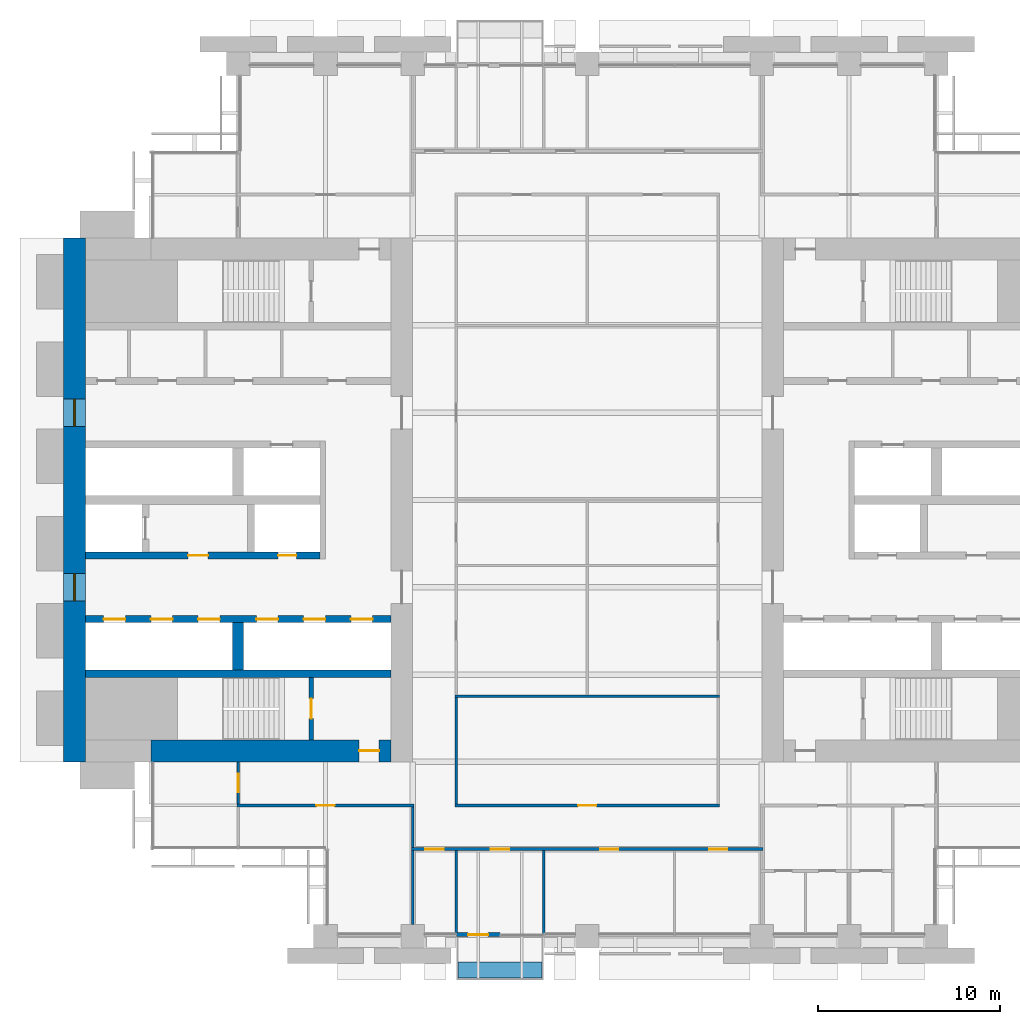
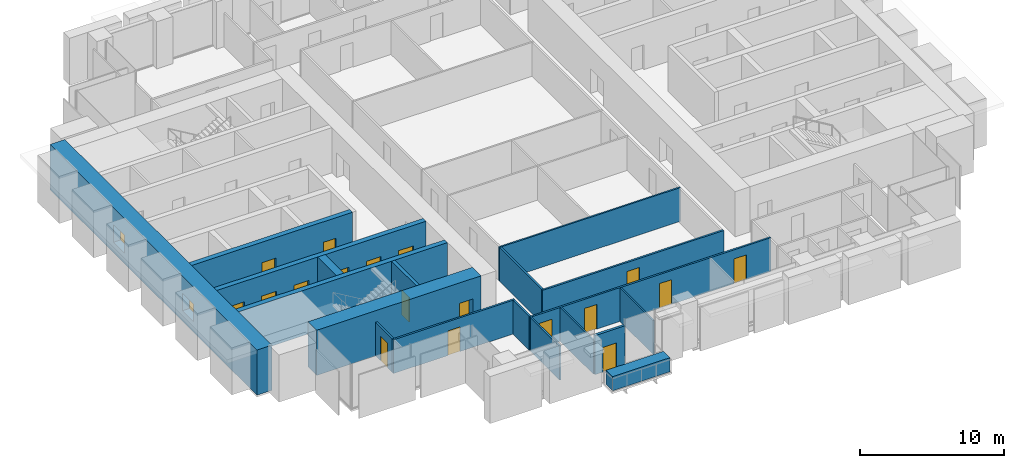
# One storey, part 9 of 15: 19 walls, 18 doors, 2 windows, 20 openings.
"""IFC4 building model written with IfcOpenShell, lengths in metres."""

from ifc_helpers import new_model, si_unit, direction, frame, frame_2d, origin, place, context, subcontext, project, spatial, rectangle, extrude, material, layer, layer_set, type_object, element, fill, save


model = new_model("IFC4")

# Units and contexts
model_context = context("Model", 3, precision=1e-05, world=origin(), true_north=direction((0.0, 1.0)))
body_context = subcontext(model_context, "Body", "Model", "MODEL_VIEW")
ifc_project = project(units=[si_unit("LENGTHUNIT", "METRE"), si_unit("AREAUNIT", "SQUARE_METRE"), si_unit("VOLUMEUNIT", "CUBIC_METRE"), si_unit("PLANEANGLEUNIT", "RADIAN"), si_unit("MASSUNIT", "GRAM", prefix="KILO")], contexts=[model_context])

# Site, building, storey
site_placement = place(None, origin())
site = spatial("IfcSite", under=ifc_project, at=site_placement, CompositionType="ELEMENT")
building_placement = place(site_placement, origin())
building = spatial("IfcBuilding", under=site, at=building_placement, Name="Baori Bourse Tower", CompositionType="ELEMENT")
storey_placement = place(building_placement, frame((0.0, 0.0, 47.0)))
storey = spatial("IfcBuildingStorey", under=building, at=storey_placement, Name="L09", CompositionType="ELEMENT", Elevation=47.0)

# Wall, openings, windows
ifc_material_1 = material(Name="Concrete f'c 70 MPa", Category="concrete")
ifc_layer_1 = layer(ifc_material_1, 1.199951171875)
ifc_layer_set_1 = layer_set([ifc_layer_1], Name="Core wall 1200 f'c 70")
wall_type_1 = type_object("IfcWallType", Name="Core wall 1200 f'c 70", PredefinedType="SHEAR", material=ifc_layer_set_1)
wall_1_placement = place(storey_placement, frame((0.60009765625, 9.60009765625, 0.0), z_axis=(0.0, 0.0, 1.0), x_axis=(0.0, 1.0, 0.0)))
wall_1 = element("IfcWall", 1, at=wall_1_placement, inside=storey, type_object=wall_type_1, Name="Core wall W01", PredefinedType="SHEAR", context=body_context, shape_type="SweptSolid", body=[
    extrude(rectangle(XDim=28.7998046875, YDim=1.199951171875, at=frame_2d((14.39990234375, 0.0))), origin(), (0.0, 0.0, 1.0), 3.840087890625),
])
opening_1_placement = place(wall_1_placement, frame((8.85009765625, 0.0, 0.89990234375)))
opening_1 = element("IfcOpeningElement", 2, at=opening_1_placement, cuts=wall_1, Name="Opening L09-KW101", PredefinedType="OPENING", context=body_context, shape_type="SweptSolid", body=[
    extrude(rectangle(XDim=1.5, YDim=1.5, at=frame_2d((0.75, 0.75))), frame((0.0, 0.60986328125, 0.0), z_axis=(0.0, -1.0, 0.0), x_axis=(1.0, 0.0, 0.0)), (0.0, 0.0, 1.0), 1.219970703125),
])
opening_2_placement = place(wall_1_placement, frame((18.449951171875, 0.0, 0.89990234375)))
opening_2 = element("IfcOpeningElement", 3, at=opening_2_placement, cuts=wall_1, Name="Opening L09-KW102", PredefinedType="OPENING", context=body_context, shape_type="SweptSolid", body=[
    extrude(rectangle(XDim=1.5, YDim=1.5, at=frame_2d((0.75, 0.75))), frame((0.0, 0.60986328125, 0.0), z_axis=(0.0, -1.0, 0.0), x_axis=(1.0, 0.0, 0.0)), (0.0, 0.0, 1.0), 1.219970703125),
])
ifc_material_2 = material(Name="Pale anodised aluminium", Category="aluminium")
window_type = type_object("IfcWindowType", Name="Lobby window 1500 x 1500", PartitioningType="SINGLE_PANEL", PredefinedType="WINDOW", material=ifc_material_2)
window_1_placement = place(opening_1_placement, origin())
window_1 = element("IfcWindow", 4, at=window_1_placement, inside=storey, type_object=window_type, Name="Outer wall window W L09 1", OverallHeight=1.5, OverallWidth=1.5, PartitioningType="SINGLE_PANEL", PredefinedType="WINDOW", context=body_context, shape_type="SweptSolid", body=[
    extrude(rectangle(XDim=1.5, YDim=1.5, at=frame_2d((0.75, 0.75))), frame((0.0, 0.030029296875, 0.0), z_axis=(0.0, -1.0, 0.0), x_axis=(1.0, 0.0, 0.0)), (0.0, 0.0, 1.0), 0.06005859375),
])
fill(opening_1, window_1)
window_2_placement = place(opening_2_placement, origin())
window_2 = element("IfcWindow", 5, at=window_2_placement, inside=storey, type_object=window_type, Name="Outer wall window W L09 2", OverallHeight=1.5, OverallWidth=1.5, PartitioningType="SINGLE_PANEL", PredefinedType="WINDOW", context=body_context, shape_type="SweptSolid", body=[
    extrude(rectangle(XDim=1.5, YDim=1.5, at=frame_2d((0.75, 0.75))), frame((0.0, 0.030029296875, 0.0), z_axis=(0.0, -1.0, 0.0), x_axis=(1.0, 0.0, 0.0)), (0.0, 0.0, 1.0), 0.06005859375),
])
fill(opening_2, window_2)

# Wall, opening, door
wall_2_placement = place(storey_placement, frame((18.0, 10.199951171875, 0.0), z_axis=(0.0, 0.0, 1.0), x_axis=(-1.0, 0.0, 0.0)))
wall_2 = element("IfcWall", 6, at=wall_2_placement, inside=storey, type_object=wall_type_1, Name="Core wall W03", PredefinedType="SHEAR", context=body_context, shape_type="SweptSolid", body=[
    extrude(rectangle(XDim=13.199951171875, YDim=1.199951171875, at=frame_2d((6.60009765625, 0.0))), origin(), (0.0, 0.0, 1.0), 3.840087890625),
])
opening_3_placement = place(wall_2_placement, frame((0.64990234375, 0.0, 0.0)))
opening_3 = element("IfcOpeningElement", 7, at=opening_3_placement, cuts=wall_2, Name="Opening L09-D102", PredefinedType="OPENING", context=body_context, shape_type="SweptSolid", body=[
    extrude(rectangle(XDim=1.10009765625, YDim=2.10009765625, at=frame_2d((0.550048828125, 1.050048828125))), frame((0.0, 0.60986328125, 0.0), z_axis=(0.0, -1.0, 0.0), x_axis=(1.0, 0.0, 0.0)), (0.0, 0.0, 1.0), 1.219970703125),
])
ifc_material_3 = material(Name="Painted steel door", Category="steel")
door_type_1 = type_object("IfcDoorType", Name="Stair door 1100", OperationType="SINGLE_SWING_LEFT", PredefinedType="DOOR", material=ifc_material_3)
door_1_placement = place(opening_3_placement, origin())
door_1 = element("IfcDoor", 8, at=door_1_placement, inside=storey, type_object=door_type_1, Name="Stair vestibule door A W L09", OperationType="SINGLE_SWING_LEFT", OverallHeight=2.10009765625, OverallWidth=1.10009765625, PredefinedType="DOOR", context=body_context, shape_type="SweptSolid", body=[
    extrude(rectangle(XDim=1.10009765625, YDim=2.10009765625, at=frame_2d((0.550048828125, 1.050048828125))), frame((0.0, 0.02490234375, 0.0), z_axis=(0.0, -1.0, 0.0), x_axis=(1.0, 0.0, 0.0)), (0.0, 0.0, 1.0), 0.050048828125),
])
fill(opening_3, door_1)

# Wall, openings, doors
ifc_material_4 = material(Name="Gypsum board partition")
ifc_layer_2 = layer(ifc_material_4, 0.14990234375)
ifc_layer_set_2 = layer_set([ifc_layer_2], Name="Corridor partition 150")
wall_type_2 = type_object("IfcWallType", Name="Corridor partition 150", PredefinedType="PARTITIONING", material=ifc_layer_set_2)
wall_3_placement = place(storey_placement, frame((19.125, 4.800048828125, 0.0), z_axis=(0.0, 0.0, 1.0), x_axis=(1.0, 0.0, 0.0)))
wall_3 = element("IfcWall", 9, at=wall_3_placement, inside=storey, type_object=wall_type_2, Name="Partition", PredefinedType="PARTITIONING", context=body_context, shape_type="SweptSolid", body=[
    extrude(rectangle(XDim=19.35009765625, YDim=0.14990234375, at=frame_2d((9.675048828125, 0.0))), origin(), (0.0, 0.0, 1.0), 2.86962890625),
])
opening_4_placement = place(wall_3_placement, frame((0.77490234375, 0.0, 0.0)))
opening_4 = element("IfcOpeningElement", 10, at=opening_4_placement, cuts=wall_3, Name="Opening L09-D04", PredefinedType="OPENING", context=body_context, shape_type="SweptSolid", body=[
    extrude(rectangle(XDim=1.0, YDim=2.10009765625, at=frame_2d((0.5, 1.050048828125))), frame((0.0, 0.0849609375, 0.0), z_axis=(0.0, -1.0, 0.0), x_axis=(1.0, 0.0, 0.0)), (0.0, 0.0, 1.0), 0.169921875),
])
opening_5_placement = place(wall_3_placement, frame((4.375, 0.0, 0.0)))
opening_5 = element("IfcOpeningElement", 11, at=opening_5_placement, cuts=wall_3, Name="Opening L09-D05", PredefinedType="OPENING", context=body_context, shape_type="SweptSolid", body=[
    extrude(rectangle(XDim=1.0, YDim=2.10009765625, at=frame_2d((0.5, 1.050048828125))), frame((0.0, 0.0849609375, 0.0), z_axis=(0.0, -1.0, 0.0), x_axis=(1.0, 0.0, 0.0)), (0.0, 0.0, 1.0), 0.169921875),
])
opening_6_placement = place(wall_3_placement, frame((10.375, 0.0, 0.0)))
opening_6 = element("IfcOpeningElement", 12, at=opening_6_placement, cuts=wall_3, Name="Opening L09-D06", PredefinedType="OPENING", context=body_context, shape_type="SweptSolid", body=[
    extrude(rectangle(XDim=1.0, YDim=2.10009765625, at=frame_2d((0.5, 1.050048828125))), frame((0.0, 0.0849609375, 0.0), z_axis=(0.0, -1.0, 0.0), x_axis=(1.0, 0.0, 0.0)), (0.0, 0.0, 1.0), 0.169921875),
])
opening_7_placement = place(wall_3_placement, frame((16.375, 0.0, 0.0)))
opening_7 = element("IfcOpeningElement", 13, at=opening_7_placement, cuts=wall_3, Name="Opening L09-D07", PredefinedType="OPENING", context=body_context, shape_type="SweptSolid", body=[
    extrude(rectangle(XDim=1.0, YDim=2.10009765625, at=frame_2d((0.5, 1.050048828125))), frame((0.0, 0.0849609375, 0.0), z_axis=(0.0, -1.0, 0.0), x_axis=(1.0, 0.0, 0.0)), (0.0, 0.0, 1.0), 0.169921875),
])
ifc_material_5 = material(Name="Timber door leaf", Category="wood")
door_type_2 = type_object("IfcDoorType", Name="Door 1000 x 2100", OperationType="SINGLE_SWING_LEFT", PredefinedType="DOOR", material=ifc_material_5)
door_2_placement = place(opening_4_placement, origin())
door_2 = element("IfcDoor", 14, at=door_2_placement, inside=storey, type_object=door_type_2, Name="Door", OperationType="SINGLE_SWING_LEFT", OverallHeight=2.10009765625, OverallWidth=1.0, PredefinedType="DOOR", context=body_context, shape_type="SweptSolid", body=[
    extrude(rectangle(XDim=1.0, YDim=2.10009765625, at=frame_2d((0.5, 1.050048828125))), frame((0.0, 0.02490234375, 0.0), z_axis=(0.0, -1.0, 0.0), x_axis=(1.0, 0.0, 0.0)), (0.0, 0.0, 1.0), 0.050048828125),
])
fill(opening_4, door_2)
door_3_placement = place(opening_5_placement, origin())
door_3 = element("IfcDoor", 15, at=door_3_placement, inside=storey, type_object=door_type_2, Name="Door", OperationType="SINGLE_SWING_LEFT", OverallHeight=2.10009765625, OverallWidth=1.0, PredefinedType="DOOR", context=body_context, shape_type="SweptSolid", body=[
    extrude(rectangle(XDim=1.0, YDim=2.10009765625, at=frame_2d((0.5, 1.050048828125))), frame((0.0, 0.02490234375, 0.0), z_axis=(0.0, -1.0, 0.0), x_axis=(1.0, 0.0, 0.0)), (0.0, 0.0, 1.0), 0.050048828125),
])
fill(opening_5, door_3)
door_4_placement = place(opening_6_placement, origin())
door_4 = element("IfcDoor", 16, at=door_4_placement, inside=storey, type_object=door_type_2, Name="Door", OperationType="SINGLE_SWING_RIGHT", OverallHeight=2.10009765625, OverallWidth=1.0, PredefinedType="DOOR", context=body_context, shape_type="SweptSolid", body=[
    extrude(rectangle(XDim=1.0, YDim=2.10009765625, at=frame_2d((0.5, 1.050048828125))), frame((0.0, 0.02490234375, 0.0), z_axis=(0.0, -1.0, 0.0), x_axis=(1.0, 0.0, 0.0)), (0.0, 0.0, 1.0), 0.050048828125),
])
fill(opening_6, door_4)
door_5_placement = place(opening_7_placement, origin())
door_5 = element("IfcDoor", 17, at=door_5_placement, inside=storey, type_object=door_type_2, Name="Door", OperationType="SINGLE_SWING_RIGHT", OverallHeight=2.10009765625, OverallWidth=1.0, PredefinedType="DOOR", context=body_context, shape_type="SweptSolid", body=[
    extrude(rectangle(XDim=1.0, YDim=2.10009765625, at=frame_2d((0.5, 1.050048828125))), frame((0.0, 0.02490234375, 0.0), z_axis=(0.0, -1.0, 0.0), x_axis=(1.0, 0.0, 0.0)), (0.0, 0.0, 1.0), 0.050048828125),
])
fill(opening_7, door_5)

# Wall, opening, door
wall_4_placement = place(storey_placement, frame((9.52490234375, 7.199951171875, 0.0), z_axis=(0.0, 0.0, 1.0), x_axis=(1.0, 0.0, 0.0)))
wall_4 = element("IfcWall", 18, at=wall_4_placement, inside=storey, type_object=wall_type_2, Name="Partition", PredefinedType="PARTITIONING", context=body_context, shape_type="SweptSolid", body=[
    extrude(rectangle(XDim=9.75, YDim=0.14990234375, at=frame_2d((4.875, 0.0))), origin(), (0.0, 0.0, 1.0), 2.86962890625),
])
opening_8_placement = place(wall_4_placement, frame((4.375, 0.0, 0.0)))
opening_8 = element("IfcOpeningElement", 19, at=opening_8_placement, cuts=wall_4, Name="Opening L09-D08", PredefinedType="OPENING", context=body_context, shape_type="SweptSolid", body=[
    extrude(rectangle(XDim=1.0, YDim=2.10009765625, at=frame_2d((0.5, 1.050048828125))), frame((0.0, 0.0849609375, 0.0), z_axis=(0.0, -1.0, 0.0), x_axis=(1.0, 0.0, 0.0)), (0.0, 0.0, 1.0), 0.169921875),
])
door_6_placement = place(opening_8_placement, origin())
door_6 = element("IfcDoor", 20, at=door_6_placement, inside=storey, type_object=door_type_2, Name="Door", OperationType="SINGLE_SWING_RIGHT", OverallHeight=2.10009765625, OverallWidth=1.0, PredefinedType="DOOR", context=body_context, shape_type="SweptSolid", body=[
    extrude(rectangle(XDim=1.0, YDim=2.10009765625, at=frame_2d((0.5, 1.050048828125))), frame((0.0, 0.02490234375, 0.0), z_axis=(0.0, -1.0, 0.0), x_axis=(1.0, 0.0, 0.0)), (0.0, 0.0, 1.0), 0.050048828125),
])
fill(opening_8, door_6)

wall_5_placement = place(storey_placement, frame((21.52490234375, 7.199951171875, 0.0), z_axis=(0.0, 0.0, 1.0), x_axis=(1.0, 0.0, 0.0)))
wall_5 = element("IfcWall", 21, at=wall_5_placement, inside=storey, type_object=wall_type_2, Name="Partition", PredefinedType="PARTITIONING", context=body_context, shape_type="SweptSolid", body=[
    extrude(rectangle(XDim=14.550048828125, YDim=0.14990234375, at=frame_2d((7.27490234375, 0.0))), origin(), (0.0, 0.0, 1.0), 2.86962890625),
])
opening_9_placement = place(wall_5_placement, frame((6.77490234375, 0.0, 0.0)))
opening_9 = element("IfcOpeningElement", 22, at=opening_9_placement, cuts=wall_5, Name="Opening L09-D09", PredefinedType="OPENING", context=body_context, shape_type="SweptSolid", body=[
    extrude(rectangle(XDim=1.0, YDim=2.10009765625, at=frame_2d((0.5, 1.050048828125))), frame((0.0, 0.0849609375, 0.0), z_axis=(0.0, -1.0, 0.0), x_axis=(1.0, 0.0, 0.0)), (0.0, 0.0, 1.0), 0.169921875),
])
door_7_placement = place(opening_9_placement, origin())
door_7 = element("IfcDoor", 23, at=door_7_placement, inside=storey, type_object=door_type_2, Name="Door", OperationType="SINGLE_SWING_RIGHT", OverallHeight=2.10009765625, OverallWidth=1.0, PredefinedType="DOOR", context=body_context, shape_type="SweptSolid", body=[
    extrude(rectangle(XDim=1.0, YDim=2.10009765625, at=frame_2d((0.5, 1.050048828125))), frame((0.0, 0.02490234375, 0.0), z_axis=(0.0, -1.0, 0.0), x_axis=(1.0, 0.0, 0.0)), (0.0, 0.0, 1.0), 0.050048828125),
])
fill(opening_9, door_7)

wall_6_placement = place(storey_placement, frame((9.60009765625, 7.27490234375, 0.0), z_axis=(0.0, 0.0, 1.0), x_axis=(0.0, 1.0, 0.0)))
wall_6 = element("IfcWall", 24, at=wall_6_placement, inside=storey, type_object=wall_type_2, Name="Partition", PredefinedType="PARTITIONING", context=body_context, shape_type="SweptSolid", body=[
    extrude(rectangle(XDim=2.3251953125, YDim=0.14990234375, at=frame_2d((1.16259765625, 0.0))), origin(), (0.0, 0.0, 1.0), 2.86962890625),
])
opening_10_placement = place(wall_6_placement, frame((0.66259765625, 0.0, 0.0)))
opening_10 = element("IfcOpeningElement", 25, at=opening_10_placement, cuts=wall_6, Name="Opening L09-D20", PredefinedType="OPENING", context=body_context, shape_type="SweptSolid", body=[
    extrude(rectangle(XDim=1.0, YDim=2.10009765625, at=frame_2d((0.5, 1.050048828125))), frame((0.0, 0.0849609375, 0.0), z_axis=(0.0, -1.0, 0.0), x_axis=(1.0, 0.0, 0.0)), (0.0, 0.0, 1.0), 0.169921875),
])
door_8_placement = place(opening_10_placement, origin())
door_8 = element("IfcDoor", 26, at=door_8_placement, inside=storey, type_object=door_type_2, Name="Door", OperationType="SINGLE_SWING_RIGHT", OverallHeight=2.10009765625, OverallWidth=1.0, PredefinedType="DOOR", context=body_context, shape_type="SweptSolid", body=[
    extrude(rectangle(XDim=1.0, YDim=2.10009765625, at=frame_2d((0.5, 1.050048828125))), frame((0.0, 0.02490234375, 0.0), z_axis=(0.0, -1.0, 0.0), x_axis=(1.0, 0.0, 0.0)), (0.0, 0.0, 1.0), 0.050048828125),
])
fill(opening_10, door_8)

# Walls
wall_7_placement = place(storey_placement, frame((19.199951171875, 4.875, 0.0), z_axis=(0.0, 0.0, 1.0), x_axis=(0.0, 1.0, 0.0)))
element("IfcWall", 27, at=wall_7_placement, inside=storey, type_object=wall_type_2, Name="Partition", PredefinedType="PARTITIONING", context=body_context, shape_type="SweptSolid", body=[
    extrude(rectangle(XDim=2.25, YDim=0.14990234375, at=frame_2d((1.125, 0.0))), origin(), (0.0, 0.0, 1.0), 2.86962890625),
])
wall_8_placement = place(storey_placement, frame((21.60009765625, 7.27490234375, 0.0), z_axis=(0.0, 0.0, 1.0), x_axis=(0.0, 1.0, 0.0)))
element("IfcWall", 28, at=wall_8_placement, inside=storey, type_object=wall_type_2, Name="Partition", PredefinedType="PARTITIONING", context=body_context, shape_type="SweptSolid", body=[
    extrude(rectangle(XDim=5.862548828125, YDim=0.14990234375, at=frame_2d((2.93115234375, 0.0))), origin(), (0.0, 0.0, 1.0), 2.86962890625),
])

# Wall, opening, door
ifc_material_6 = material(Name="Pale anodised aluminium", Category="aluminium")
ifc_layer_3 = layer(ifc_material_6, 0.199951171875)
ifc_layer_set_3 = layer_set([ifc_layer_3], Name="EW1 External wall bay")
wall_type_3 = type_object("IfcWallType", Name="EW1 External wall bay", PredefinedType="SOLIDWALL", material=ifc_layer_set_3)
wall_9_placement = place(storey_placement, frame((21.60009765625, 0.10009765625, 0.0), z_axis=(0.0, 0.0, 1.0), x_axis=(1.0, 0.0, 0.0)))
wall_9 = element("IfcWall", 29, at=wall_9_placement, inside=storey, type_object=wall_type_3, Name="External wall bay L09 2", PredefinedType="SOLIDWALL", context=body_context, shape_type="SweptSolid", body=[
    extrude(rectangle(XDim=2.39990234375, YDim=0.199951171875, at=frame_2d((1.199951171875, 0.0))), origin(), (0.0, 0.0, 1.0), 3.314208984375),
])
opening_11_placement = place(wall_9_placement, frame((0.64990234375, 0.0, 0.0)))
opening_11 = element("IfcOpeningElement", 30, at=opening_11_placement, cuts=wall_9, Name="Opening L09-D92", PredefinedType="OPENING", context=body_context, shape_type="SweptSolid", body=[
    extrude(rectangle(XDim=1.10009765625, YDim=2.10009765625, at=frame_2d((0.550048828125, 1.050048828125))), frame((0.0, 0.10986328125, 0.0), z_axis=(0.0, -1.0, 0.0), x_axis=(1.0, 0.0, 0.0)), (0.0, 0.0, 1.0), 0.219970703125),
])
ifc_material_7 = material(Name="Pale anodised aluminium", Category="aluminium")
door_type_3 = type_object("IfcDoorType", Name="BL1 Balcony door", OperationType="SINGLE_SWING_LEFT", PredefinedType="DOOR", material=ifc_material_7)
door_9_placement = place(opening_11_placement, origin())
door_9 = element("IfcDoor", 31, at=door_9_placement, inside=storey, type_object=door_type_3, Name="Balcony door L09 2", OperationType="SINGLE_SWING_LEFT", OverallHeight=2.10009765625, OverallWidth=1.10009765625, PredefinedType="DOOR", context=body_context, shape_type="SweptSolid", body=[
    extrude(rectangle(XDim=1.10009765625, YDim=2.10009765625, at=frame_2d((0.550048828125, 1.050048828125))), frame((0.0, 0.02490234375, 0.0), z_axis=(0.0, -1.0, 0.0), x_axis=(1.0, 0.0, 0.0)), (0.0, 0.0, 1.0), 0.050048828125),
])
fill(opening_11, door_9)

# Walls
ifc_material_8 = material(Name="Concrete f'c 40 MPa", Category="concrete")
ifc_layer_4 = layer(ifc_material_8, 0.89990234375)
ifc_layer_set_4 = layer_set([ifc_layer_4], Name="PW1 Planter wall")
wall_type_4 = type_object("IfcWallType", Name="PW1 Planter wall", PredefinedType="USERDEFINED", material=ifc_layer_set_4)
wall_10_placement = place(storey_placement, frame((21.699951171875, -1.85009765625, 0.0), z_axis=(0.0, 0.0, 1.0), x_axis=(1.0, 0.0, 0.0)))
element("IfcWall", 32, at=wall_10_placement, inside=storey, type_object=wall_type_4, Name="Planter balcony S L09 1", ObjectType="PLANTER", PredefinedType="USERDEFINED", context=body_context, shape_type="SweptSolid", body=[
    extrude(rectangle(XDim=4.60009765625, YDim=0.89990234375, at=frame_2d((2.300048828125, 0.0))), origin(), (0.0, 0.0, 1.0), 1.199951171875),
])
ifc_material_9 = material(Name="Gypsum board partition")
ifc_layer_5 = layer(ifc_material_9, 0.125)
ifc_layer_set_5 = layer_set([ifc_layer_5], Name="Partition 125")
wall_type_5 = type_object("IfcWallType", Name="Partition 125", PredefinedType="PARTITIONING", material=ifc_layer_set_5)
wall_11_placement = place(storey_placement, frame((21.52490234375, 13.199951171875, 0.0), z_axis=(0.0, 0.0, 1.0), x_axis=(1.0, 0.0, 0.0)))
element("IfcWall", 33, at=wall_11_placement, inside=storey, type_object=wall_type_5, Name="Partition", PredefinedType="PARTITIONING", context=body_context, shape_type="SweptSolid", body=[
    extrude(rectangle(XDim=14.550048828125, YDim=0.125, at=frame_2d((7.27490234375, 0.0))), origin(), (0.0, 0.0, 1.0), 2.86962890625),
])
wall_12_placement = place(storey_placement, frame((19.199951171875, 0.64990234375, 0.0), z_axis=(0.0, 0.0, 1.0), x_axis=(0.0, 1.0, 0.0)))
element("IfcWall", 34, at=wall_12_placement, inside=storey, type_object=wall_type_5, Name="Partition", PredefinedType="PARTITIONING", context=body_context, shape_type="SweptSolid", body=[
    extrude(rectangle(XDim=4.0751953125, YDim=0.125, at=frame_2d((2.03759765625, 0.0))), origin(), (0.0, 0.0, 1.0), 2.86962890625),
])
for number, where, z_axis, x_axis, name in (
    (35, (21.60009765625, 0.10009765625, 0.0), (0.0, 0.0, 1.0), (0.0, 1.0, 0.0), "Partition"),
    (36, (26.39990234375, 0.10009765625, 0.0), (0.0, 0.0, 1.0), (0.0, 1.0, 0.0), "Partition"),
):
    element("IfcWall", number, at=place(storey_placement, frame(where, z_axis=z_axis, x_axis=x_axis)), inside=storey, type_object=wall_type_5, Name=name, PredefinedType="PARTITIONING", context=body_context, shape_type="SweptSolid", body=[
        extrude(rectangle(XDim=4.625, YDim=0.125, at=frame_2d((2.3125, 0.0))), origin(), (0.0, 0.0, 1.0), 2.86962890625),
    ])

# Wall, opening, door
ifc_material_10 = material(Name="Concrete f'c 70 MPa", Category="concrete")
ifc_layer_6 = layer(ifc_material_10, 0.25)
ifc_layer_set_6 = layer_set([ifc_layer_6], Name="Shaft wall 250 f'c 70")
wall_type_6 = type_object("IfcWallType", Name="Shaft wall 250 f'c 70", PredefinedType="SHEAR", material=ifc_layer_set_6)
wall_13_placement = place(storey_placement, frame((13.625, 10.800048828125, 0.0), z_axis=(0.0, 0.0, 1.0), x_axis=(0.0, 1.0, 0.0)))
wall_13 = element("IfcWall", 37, at=wall_13_placement, inside=storey, type_object=wall_type_6, Name="Core wall W06", PredefinedType="SHEAR", context=body_context, shape_type="SweptSolid", body=[
    extrude(rectangle(XDim=3.449951171875, YDim=0.25, at=frame_2d((1.72509765625, 0.0))), origin(), (0.0, 0.0, 1.0), 3.840087890625),
])
opening_12_placement = place(wall_13_placement, frame((1.175048828125, 0.0, 0.0)))
opening_12 = element("IfcOpeningElement", 38, at=opening_12_placement, cuts=wall_13, Name="Opening L09-D101", PredefinedType="OPENING", context=body_context, shape_type="SweptSolid", body=[
    extrude(rectangle(XDim=1.10009765625, YDim=2.10009765625, at=frame_2d((0.550048828125, 1.050048828125))), frame((0.0, 0.135009765625, 0.0), z_axis=(0.0, -1.0, 0.0), x_axis=(1.0, 0.0, 0.0)), (0.0, 0.0, 1.0), 0.27001953125),
])
door_10_placement = place(opening_12_placement, origin())
door_10 = element("IfcDoor", 39, at=door_10_placement, inside=storey, type_object=door_type_1, Name="Stair door A W L09", OperationType="SINGLE_SWING_LEFT", OverallHeight=2.10009765625, OverallWidth=1.10009765625, PredefinedType="DOOR", context=body_context, shape_type="SweptSolid", body=[
    extrude(rectangle(XDim=1.10009765625, YDim=2.10009765625, at=frame_2d((0.550048828125, 1.050048828125))), frame((0.0, 0.02490234375, 0.0), z_axis=(0.0, -1.0, 0.0), x_axis=(1.0, 0.0, 0.0)), (0.0, 0.0, 1.0), 0.050048828125),
])
fill(opening_12, door_10)

# Wall
ifc_material_11 = material(Name="Concrete f'c 70 MPa", Category="concrete")
ifc_layer_7 = layer(ifc_material_11, 0.39990234375)
ifc_layer_set_7 = layer_set([ifc_layer_7], Name="Shaft wall 400 f'c 70")
wall_type_7 = type_object("IfcWallType", Name="Shaft wall 400 f'c 70", PredefinedType="SHEAR", material=ifc_layer_set_7)
wall_14_placement = place(storey_placement, frame((1.199951171875, 14.449951171875, 0.0), z_axis=(0.0, 0.0, 1.0), x_axis=(1.0, 0.0, 0.0)))
element("IfcWall", 40, at=wall_14_placement, inside=storey, type_object=wall_type_7, Name="Core wall W07", PredefinedType="SHEAR", context=body_context, shape_type="SweptSolid", body=[
    extrude(rectangle(XDim=16.800048828125, YDim=0.39990234375, at=frame_2d((8.39990234375, 0.0))), origin(), (0.0, 0.0, 1.0), 3.840087890625),
])

# Wall, openings, doors
wall_15_placement = place(storey_placement, frame((1.199951171875, 17.449951171875, 0.0), z_axis=(0.0, 0.0, 1.0), x_axis=(1.0, 0.0, 0.0)))
wall_15 = element("IfcWall", 41, at=wall_15_placement, inside=storey, type_object=wall_type_7, Name="Core wall W09", PredefinedType="SHEAR", context=body_context, shape_type="SweptSolid", body=[
    extrude(rectangle(XDim=16.800048828125, YDim=0.39990234375, at=frame_2d((8.39990234375, 0.0))), origin(), (0.0, 0.0, 1.0), 3.840087890625),
])
opening_13_placement = place(wall_15_placement, frame((1.0, 0.0, 0.0)))
opening_13 = element("IfcOpeningElement", 42, at=opening_13_placement, cuts=wall_15, Name="Opening L09-D113", PredefinedType="OPENING", context=body_context, shape_type="SweptSolid", body=[
    extrude(rectangle(XDim=1.199951171875, YDim=2.10009765625, at=frame_2d((0.60009765625, 1.050048828125))), frame((0.0, 0.2099609375, 0.0), z_axis=(0.0, -1.0, 0.0), x_axis=(1.0, 0.0, 0.0)), (0.0, 0.0, 1.0), 0.419921875),
])
opening_14_placement = place(wall_15_placement, frame((3.60009765625, 0.0, 0.0)))
opening_14 = element("IfcOpeningElement", 43, at=opening_14_placement, cuts=wall_15, Name="Opening L09-D114", PredefinedType="OPENING", context=body_context, shape_type="SweptSolid", body=[
    extrude(rectangle(XDim=1.199951171875, YDim=2.10009765625, at=frame_2d((0.60009765625, 1.050048828125))), frame((0.0, 0.2099609375, 0.0), z_axis=(0.0, -1.0, 0.0), x_axis=(1.0, 0.0, 0.0)), (0.0, 0.0, 1.0), 0.419921875),
])
opening_15_placement = place(wall_15_placement, frame((6.199951171875, 0.0, 0.0)))
opening_15 = element("IfcOpeningElement", 44, at=opening_15_placement, cuts=wall_15, Name="Opening L09-D115", PredefinedType="OPENING", context=body_context, shape_type="SweptSolid", body=[
    extrude(rectangle(XDim=1.199951171875, YDim=2.10009765625, at=frame_2d((0.60009765625, 1.050048828125))), frame((0.0, 0.2099609375, 0.0), z_axis=(0.0, -1.0, 0.0), x_axis=(1.0, 0.0, 0.0)), (0.0, 0.0, 1.0), 0.419921875),
])
opening_16_placement = place(wall_15_placement, frame((9.39990234375, 0.0, 0.0)))
opening_16 = element("IfcOpeningElement", 45, at=opening_16_placement, cuts=wall_15, Name="Opening L09-D116", PredefinedType="OPENING", context=body_context, shape_type="SweptSolid", body=[
    extrude(rectangle(XDim=1.199951171875, YDim=2.10009765625, at=frame_2d((0.60009765625, 1.050048828125))), frame((0.0, 0.2099609375, 0.0), z_axis=(0.0, -1.0, 0.0), x_axis=(1.0, 0.0, 0.0)), (0.0, 0.0, 1.0), 0.419921875),
])
opening_17_placement = place(wall_15_placement, frame((12.0, 0.0, 0.0)))
opening_17 = element("IfcOpeningElement", 46, at=opening_17_placement, cuts=wall_15, Name="Opening L09-D117", PredefinedType="OPENING", context=body_context, shape_type="SweptSolid", body=[
    extrude(rectangle(XDim=1.199951171875, YDim=2.10009765625, at=frame_2d((0.60009765625, 1.050048828125))), frame((0.0, 0.2099609375, 0.0), z_axis=(0.0, -1.0, 0.0), x_axis=(1.0, 0.0, 0.0)), (0.0, 0.0, 1.0), 0.419921875),
])
opening_18_placement = place(wall_15_placement, frame((14.60009765625, 0.0, 0.0)))
opening_18 = element("IfcOpeningElement", 47, at=opening_18_placement, cuts=wall_15, Name="Opening L09-D118", PredefinedType="OPENING", context=body_context, shape_type="SweptSolid", body=[
    extrude(rectangle(XDim=1.199951171875, YDim=2.10009765625, at=frame_2d((0.60009765625, 1.050048828125))), frame((0.0, 0.2099609375, 0.0), z_axis=(0.0, -1.0, 0.0), x_axis=(1.0, 0.0, 0.0)), (0.0, 0.0, 1.0), 0.419921875),
])
ifc_material_12 = material(Name="Stainless steel door", Category="steel")
door_type_4 = type_object("IfcDoorType", Name="Lift landing door", OperationType="DOUBLE_DOOR_SLIDING", PredefinedType="DOOR", material=ifc_material_12)
door_11_placement = place(opening_13_placement, origin())
door_11 = element("IfcDoor", 48, at=door_11_placement, inside=storey, type_object=door_type_4, Name="Lift landing door LR1 W L09", OperationType="DOUBLE_DOOR_SLIDING", OverallHeight=2.10009765625, OverallWidth=1.199951171875, PredefinedType="DOOR", context=body_context, shape_type="SweptSolid", body=[
    extrude(rectangle(XDim=1.199951171875, YDim=2.10009765625, at=frame_2d((0.60009765625, 1.050048828125))), frame((0.0, 0.02490234375, 0.0), z_axis=(0.0, -1.0, 0.0), x_axis=(1.0, 0.0, 0.0)), (0.0, 0.0, 1.0), 0.050048828125),
])
fill(opening_13, door_11)
door_12_placement = place(opening_14_placement, origin())
door_12 = element("IfcDoor", 49, at=door_12_placement, inside=storey, type_object=door_type_4, Name="Lift landing door LR2 W L09", OperationType="DOUBLE_DOOR_SLIDING", OverallHeight=2.10009765625, OverallWidth=1.199951171875, PredefinedType="DOOR", context=body_context, shape_type="SweptSolid", body=[
    extrude(rectangle(XDim=1.199951171875, YDim=2.10009765625, at=frame_2d((0.60009765625, 1.050048828125))), frame((0.0, 0.02490234375, 0.0), z_axis=(0.0, -1.0, 0.0), x_axis=(1.0, 0.0, 0.0)), (0.0, 0.0, 1.0), 0.050048828125),
])
fill(opening_14, door_12)
door_13_placement = place(opening_15_placement, origin())
door_13 = element("IfcDoor", 50, at=door_13_placement, inside=storey, type_object=door_type_4, Name="Lift landing door LR3 W L09", OperationType="DOUBLE_DOOR_SLIDING", OverallHeight=2.10009765625, OverallWidth=1.199951171875, PredefinedType="DOOR", context=body_context, shape_type="SweptSolid", body=[
    extrude(rectangle(XDim=1.199951171875, YDim=2.10009765625, at=frame_2d((0.60009765625, 1.050048828125))), frame((0.0, 0.02490234375, 0.0), z_axis=(0.0, -1.0, 0.0), x_axis=(1.0, 0.0, 0.0)), (0.0, 0.0, 1.0), 0.050048828125),
])
fill(opening_15, door_13)
door_14_placement = place(opening_16_placement, origin())
door_14 = element("IfcDoor", 51, at=door_14_placement, inside=storey, type_object=door_type_4, Name="Lift landing door LR4 W L09", OperationType="DOUBLE_DOOR_SLIDING", OverallHeight=2.10009765625, OverallWidth=1.199951171875, PredefinedType="DOOR", context=body_context, shape_type="SweptSolid", body=[
    extrude(rectangle(XDim=1.199951171875, YDim=2.10009765625, at=frame_2d((0.60009765625, 1.050048828125))), frame((0.0, 0.02490234375, 0.0), z_axis=(0.0, -1.0, 0.0), x_axis=(1.0, 0.0, 0.0)), (0.0, 0.0, 1.0), 0.050048828125),
])
fill(opening_16, door_14)
door_15_placement = place(opening_17_placement, origin())
door_15 = element("IfcDoor", 52, at=door_15_placement, inside=storey, type_object=door_type_4, Name="Lift landing door LR5 W L09", OperationType="DOUBLE_DOOR_SLIDING", OverallHeight=2.10009765625, OverallWidth=1.199951171875, PredefinedType="DOOR", context=body_context, shape_type="SweptSolid", body=[
    extrude(rectangle(XDim=1.199951171875, YDim=2.10009765625, at=frame_2d((0.60009765625, 1.050048828125))), frame((0.0, 0.02490234375, 0.0), z_axis=(0.0, -1.0, 0.0), x_axis=(1.0, 0.0, 0.0)), (0.0, 0.0, 1.0), 0.050048828125),
])
fill(opening_17, door_15)
door_16_placement = place(opening_18_placement, origin())
door_16 = element("IfcDoor", 53, at=door_16_placement, inside=storey, type_object=door_type_4, Name="Lift landing door LR6 W L09", OperationType="DOUBLE_DOOR_SLIDING", OverallHeight=2.10009765625, OverallWidth=1.199951171875, PredefinedType="DOOR", context=body_context, shape_type="SweptSolid", body=[
    extrude(rectangle(XDim=1.199951171875, YDim=2.10009765625, at=frame_2d((0.60009765625, 1.050048828125))), frame((0.0, 0.02490234375, 0.0), z_axis=(0.0, -1.0, 0.0), x_axis=(1.0, 0.0, 0.0)), (0.0, 0.0, 1.0), 0.050048828125),
])
fill(opening_18, door_16)

wall_16_placement = place(storey_placement, frame((1.199951171875, 20.949951171875, 0.0), z_axis=(0.0, 0.0, 1.0), x_axis=(1.0, 0.0, 0.0)))
wall_16 = element("IfcWall", 54, at=wall_16_placement, inside=storey, type_object=wall_type_7, Name="Core wall W10", PredefinedType="SHEAR", context=body_context, shape_type="SweptSolid", body=[
    extrude(rectangle(XDim=12.900146484375, YDim=0.39990234375, at=frame_2d((6.4501953125, 0.0))), origin(), (0.0, 0.0, 1.0), 3.840087890625),
])
opening_19_placement = place(wall_16_placement, frame((5.64990234375, 0.0, 0.0)))
opening_19 = element("IfcOpeningElement", 55, at=opening_19_placement, cuts=wall_16, Name="Opening L09-D105", PredefinedType="OPENING", context=body_context, shape_type="SweptSolid", body=[
    extrude(rectangle(XDim=1.10009765625, YDim=2.10009765625, at=frame_2d((0.550048828125, 1.050048828125))), frame((0.0, 0.2099609375, 0.0), z_axis=(0.0, -1.0, 0.0), x_axis=(1.0, 0.0, 0.0)), (0.0, 0.0, 1.0), 0.419921875),
])
opening_20_placement = place(wall_16_placement, frame((10.60009765625, 0.0, 0.0)))
opening_20 = element("IfcOpeningElement", 56, at=opening_20_placement, cuts=wall_16, Name="Opening L09-D106", PredefinedType="OPENING", context=body_context, shape_type="SweptSolid", body=[
    extrude(rectangle(XDim=1.0, YDim=2.10009765625, at=frame_2d((0.5, 1.050048828125))), frame((0.0, 0.2099609375, 0.0), z_axis=(0.0, -1.0, 0.0), x_axis=(1.0, 0.0, 0.0)), (0.0, 0.0, 1.0), 0.419921875),
])
ifc_material_13 = material(Name="Painted steel door", Category="steel")
door_type_5 = type_object("IfcDoorType", Name="Lobby door 1100", OperationType="SINGLE_SWING_LEFT", PredefinedType="DOOR", material=ifc_material_13)
door_17_placement = place(opening_19_placement, origin())
door_17 = element("IfcDoor", 57, at=door_17_placement, inside=storey, type_object=door_type_5, Name="Firefighting lobby door W L09", OperationType="SINGLE_SWING_LEFT", OverallHeight=2.10009765625, OverallWidth=1.10009765625, PredefinedType="DOOR", context=body_context, shape_type="SweptSolid", body=[
    extrude(rectangle(XDim=1.10009765625, YDim=2.10009765625, at=frame_2d((0.550048828125, 1.050048828125))), frame((0.0, 0.02490234375, 0.0), z_axis=(0.0, -1.0, 0.0), x_axis=(1.0, 0.0, 0.0)), (0.0, 0.0, 1.0), 0.050048828125),
])
fill(opening_19, door_17)
ifc_material_14 = material(Name="Painted steel door", Category="steel")
door_type_6 = type_object("IfcDoorType", Name="Shaft door 1000", OperationType="SINGLE_SWING_LEFT", PredefinedType="DOOR", material=ifc_material_14)
door_18_placement = place(opening_20_placement, origin())
door_18 = element("IfcDoor", 58, at=door_18_placement, inside=storey, type_object=door_type_6, Name="Riser room door W L09", OperationType="SINGLE_SWING_LEFT", OverallHeight=2.10009765625, OverallWidth=1.0, PredefinedType="DOOR", context=body_context, shape_type="SweptSolid", body=[
    extrude(rectangle(XDim=1.0, YDim=2.10009765625, at=frame_2d((0.5, 1.050048828125))), frame((0.0, 0.02490234375, 0.0), z_axis=(0.0, -1.0, 0.0), x_axis=(1.0, 0.0, 0.0)), (0.0, 0.0, 1.0), 0.050048828125),
])
fill(opening_20, door_18)

# Wall
ifc_material_15 = material(Name="Concrete f'c 70 MPa", Category="concrete")
ifc_layer_8 = layer(ifc_material_15, 0.60009765625)
ifc_layer_set_8 = layer_set([ifc_layer_8], Name="Shaft wall 600 f'c 70")
wall_type_8 = type_object("IfcWallType", Name="Shaft wall 600 f'c 70", PredefinedType="SHEAR", material=ifc_layer_set_8)
wall_17_placement = place(storey_placement, frame((9.60009765625, 14.64990234375, 0.0), z_axis=(0.0, 0.0, 1.0), x_axis=(0.0, 1.0, 0.0)))
element("IfcWall", 59, at=wall_17_placement, inside=storey, type_object=wall_type_8, Name="Core wall W08", PredefinedType="SHEAR", context=body_context, shape_type="SweptSolid", body=[
    extrude(rectangle(XDim=2.60009765625, YDim=0.60009765625, at=frame_2d((1.300048828125, 0.0))), origin(), (0.0, 0.0, 1.0), 3.840087890625),
])

save(model, "model.ifc")
